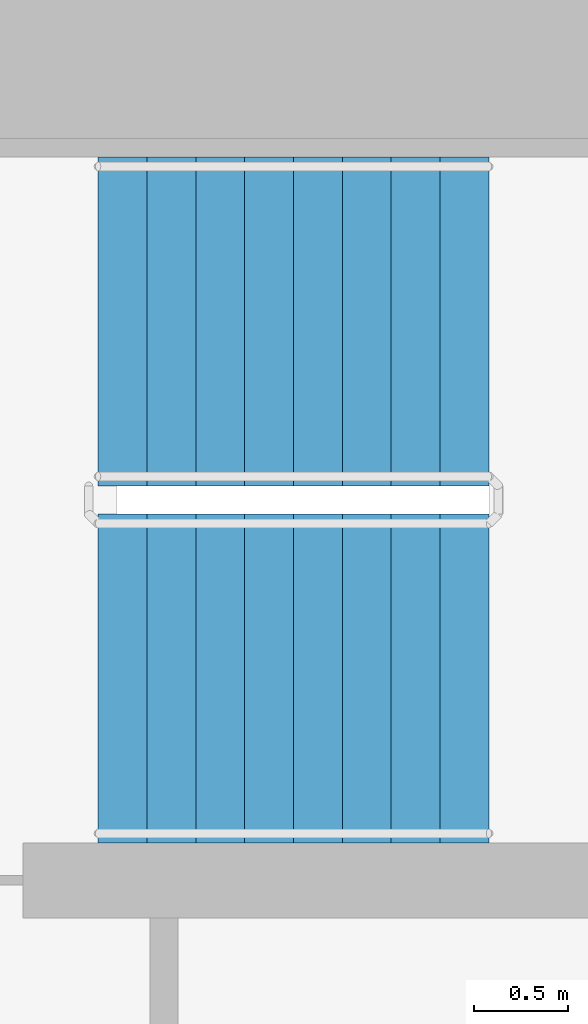
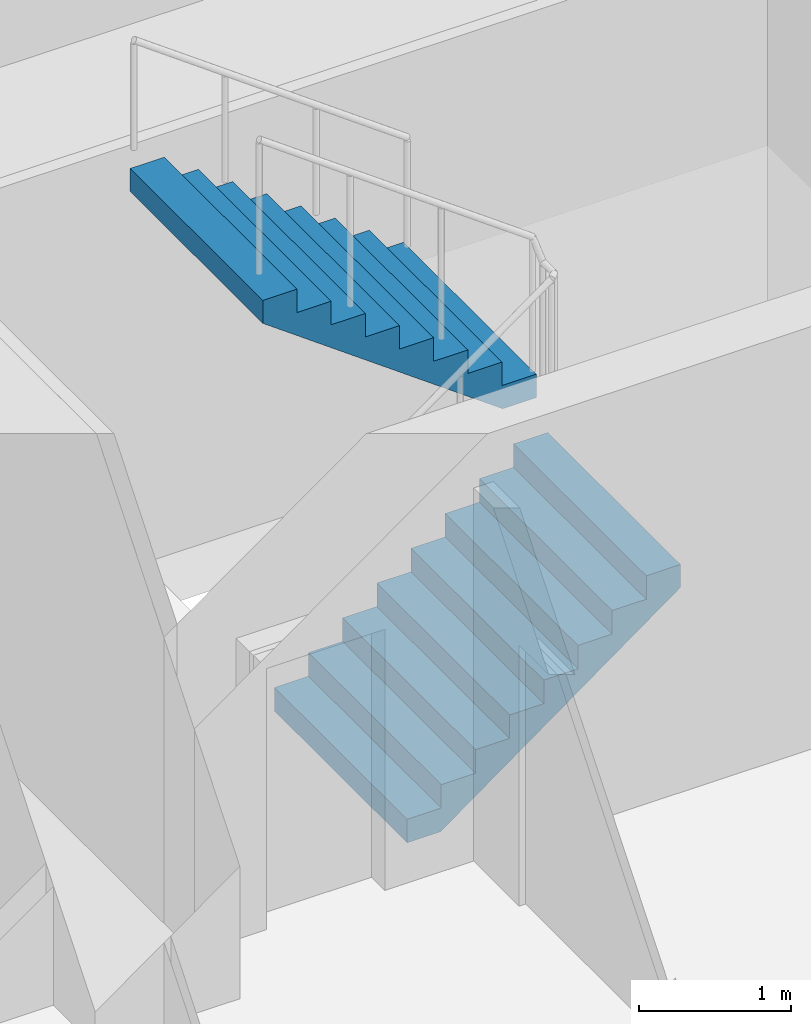
# One storey, part 33 of 40: 2 stair flights, 1 element without a shape of its own.
"""IFC4 building model written with IfcOpenShell, lengths in metres."""

from ifc_helpers import new_model, si_unit, direction, frame, origin, place, context, subcontext, project, spatial, faceted_brep, material, type_object, element, aggregate, save


model = new_model("IFC4")

# Units and contexts
model_context = context("Model", 3, precision=1e-05, world=origin(), true_north=direction((0.0, 1.0)))
body_context = subcontext(model_context, "Body", "Model", "MODEL_VIEW")
ifc_project = project(units=[si_unit("LENGTHUNIT", "METRE"), si_unit("AREAUNIT", "SQUARE_METRE"), si_unit("VOLUMEUNIT", "CUBIC_METRE"), si_unit("PLANEANGLEUNIT", "RADIAN"), si_unit("MASSUNIT", "GRAM", prefix="KILO")], contexts=[model_context])

# Site, building, storey
site_placement = place(None, origin())
site = spatial("IfcSite", under=ifc_project, at=site_placement, CompositionType="ELEMENT")
building_placement = place(site_placement, origin())
building = spatial("IfcBuilding", under=site, at=building_placement, Name="Ipe Terrace Towers", CompositionType="ELEMENT")
storey_placement = place(building_placement, frame((0.0, 0.0, 24.5)))
storey = spatial("IfcBuildingStorey", under=building, at=storey_placement, Name="L05", CompositionType="ELEMENT", Elevation=24.5)

# Stair, stair flights
ifc_material_1 = material(Name="Concrete C30/37", Category="concrete")
stair_type = type_object("IfcStairType", Name="Protected exit stair", PredefinedType="HALF_TURN_STAIR", material=ifc_material_1)
stair_placement = place(storey_placement, origin())
stair = element("IfcStair", 1, at=stair_placement, inside=storey, type_object=stair_type, Name="L05 Exit stair T1-C1", PredefinedType="HALF_TURN_STAIR")
ifc_material_2 = material(Name="Concrete C30/37", Category="concrete")
stair_flight_type = type_object("IfcStairFlightType", Name="Exit stair flight 1750", PredefinedType="STRAIGHT", material=ifc_material_2)
stair_flight_1_placement = place(storey_placement, frame((-26.300048828125, 2.77490234375, 0.0), z_axis=(0.0, 0.0, 1.0), x_axis=(1.0, 0.0, 0.0)))
stair_flight_1 = element("IfcStairFlight", 2, at=stair_flight_1_placement, type_object=stair_flight_type, Name="T1-ST1 flight 1", NumberOfRisers=9, NumberOfTreads=8, PredefinedType="STRAIGHT", RiserHeight=0.188888889, TreadLength=0.26, context=body_context, shape_type="Brep", body=[
    faceted_brep([(0.255126953125, -0.875, 0.0), (2.080078125, -0.875, 1.325927734375), (2.080078125, -0.875, 1.51123046875), (1.820068359375, -0.875, 1.51123046875), (1.820068359375, -0.875, 1.322265625), (1.56005859375, -0.875, 1.322265625), (1.56005859375, -0.875, 1.13330078125), (1.300048828125, -0.875, 1.13330078125), (1.300048828125, -0.875, 0.9443359375), (1.0400390625, -0.875, 0.9443359375), (1.0400390625, -0.875, 0.755615234375), (0.780029296875, -0.875, 0.755615234375), (0.780029296875, -0.875, 0.566650390625), (0.52001953125, -0.875, 0.566650390625), (0.52001953125, -0.875, 0.377685546875), (0.260009765625, -0.875, 0.377685546875), (0.260009765625, -0.875, 0.18896484375), (0.0, -0.875, 0.18896484375), (0.0, -0.875, 0.0), (0.0, 0.875, 0.0), (0.0, 0.875, 0.18896484375), (0.260009765625, 0.875, 0.18896484375), (0.260009765625, 0.875, 0.377685546875), (0.52001953125, 0.875, 0.377685546875), (0.52001953125, 0.875, 0.566650390625), (0.780029296875, 0.875, 0.566650390625), (0.780029296875, 0.875, 0.755615234375), (1.0400390625, 0.875, 0.755615234375), (1.0400390625, 0.875, 0.9443359375), (1.300048828125, 0.875, 0.9443359375), (1.300048828125, 0.875, 1.13330078125), (1.56005859375, 0.875, 1.13330078125), (1.56005859375, 0.875, 1.322265625), (1.820068359375, 0.875, 1.322265625), (1.820068359375, 0.875, 1.51123046875), (2.080078125, 0.875, 1.51123046875), (2.080078125, 0.875, 1.325927734375), (0.255126953125, 0.875, 0.0), (0.0, -0.300048828125, 0.18896484375), (0.0, -0.1201171875, 0.18896484375), (0.0, -0.06005859375, 0.18896484375), (0.0, -0.030029296875, 0.18896484375), (0.0, -0.010009765625, 0.18896484375), (0.0, 0.0, 0.18896484375), (0.0, 0.010009765625, 0.18896484375), (0.0, 0.030029296875, 0.18896484375), (0.0, 0.06005859375, 0.18896484375), (0.0, 0.1201171875, 0.18896484375), (0.0, 0.300048828125, 0.18896484375), (0.0, 0.300048828125, 0.0), (0.0, 0.1201171875, 0.0), (0.0, 0.06005859375, 0.0), (0.0, 0.030029296875, 0.0), (0.0, 0.010009765625, 0.0), (0.0, 0.0, 0.0), (0.0, -0.010009765625, 0.0), (0.0, -0.030029296875, 0.0), (0.0, -0.06005859375, 0.0), (0.0, -0.1201171875, 0.0), (0.0, -0.300048828125, 0.0), (0.260009765625, -0.300048828125, 0.18896484375), (0.260009765625, -0.1201171875, 0.18896484375), (0.260009765625, -0.06005859375, 0.18896484375), (0.260009765625, -0.030029296875, 0.18896484375), (0.260009765625, -0.010009765625, 0.18896484375), (0.260009765625, 0.0, 0.18896484375), (0.260009765625, 0.010009765625, 0.18896484375), (0.260009765625, 0.030029296875, 0.18896484375), (0.260009765625, 0.06005859375, 0.18896484375), (0.260009765625, 0.1201171875, 0.18896484375), (0.260009765625, 0.300048828125, 0.18896484375), (0.260009765625, -0.300048828125, 0.377685546875), (0.260009765625, -0.1201171875, 0.377685546875), (0.260009765625, -0.06005859375, 0.377685546875), (0.260009765625, -0.030029296875, 0.377685546875), (0.260009765625, -0.010009765625, 0.377685546875), (0.260009765625, 0.0, 0.377685546875), (0.260009765625, 0.010009765625, 0.377685546875), (0.260009765625, 0.030029296875, 0.377685546875), (0.260009765625, 0.06005859375, 0.377685546875), (0.260009765625, 0.1201171875, 0.377685546875), (0.260009765625, 0.300048828125, 0.377685546875), (0.52001953125, -0.300048828125, 0.377685546875), (0.52001953125, -0.1201171875, 0.377685546875), (0.52001953125, -0.06005859375, 0.377685546875), (0.52001953125, -0.030029296875, 0.377685546875), (0.52001953125, -0.010009765625, 0.377685546875), (0.52001953125, 0.0, 0.377685546875), (0.52001953125, 0.010009765625, 0.377685546875), (0.52001953125, 0.030029296875, 0.377685546875), (0.52001953125, 0.06005859375, 0.377685546875), (0.52001953125, 0.1201171875, 0.377685546875), (0.52001953125, 0.300048828125, 0.377685546875), (0.52001953125, -0.300048828125, 0.566650390625), (0.52001953125, -0.1201171875, 0.566650390625), (0.52001953125, -0.06005859375, 0.566650390625), (0.52001953125, -0.030029296875, 0.566650390625), (0.52001953125, -0.010009765625, 0.566650390625), (0.52001953125, 0.0, 0.566650390625), (0.52001953125, 0.010009765625, 0.566650390625), (0.52001953125, 0.030029296875, 0.566650390625), (0.52001953125, 0.06005859375, 0.566650390625), (0.52001953125, 0.1201171875, 0.566650390625), (0.52001953125, 0.300048828125, 0.566650390625), (0.780029296875, -0.300048828125, 0.566650390625), (0.780029296875, -0.1201171875, 0.566650390625), (0.780029296875, -0.06005859375, 0.566650390625), (0.780029296875, -0.030029296875, 0.566650390625), (0.780029296875, -0.010009765625, 0.566650390625), (0.780029296875, 0.0, 0.566650390625), (0.780029296875, 0.010009765625, 0.566650390625), (0.780029296875, 0.030029296875, 0.566650390625), (0.780029296875, 0.06005859375, 0.566650390625), (0.780029296875, 0.1201171875, 0.566650390625), (0.780029296875, 0.300048828125, 0.566650390625), (0.780029296875, -0.300048828125, 0.755615234375), (0.780029296875, -0.1201171875, 0.755615234375), (0.780029296875, -0.06005859375, 0.755615234375), (0.780029296875, -0.030029296875, 0.755615234375), (0.780029296875, -0.010009765625, 0.755615234375), (0.780029296875, 0.0, 0.755615234375), (0.780029296875, 0.010009765625, 0.755615234375), (0.780029296875, 0.030029296875, 0.755615234375), (0.780029296875, 0.06005859375, 0.755615234375), (0.780029296875, 0.1201171875, 0.755615234375), (0.780029296875, 0.300048828125, 0.755615234375), (1.0400390625, -0.300048828125, 0.755615234375), (1.0400390625, -0.1201171875, 0.755615234375), (1.0400390625, -0.06005859375, 0.755615234375), (1.0400390625, -0.030029296875, 0.755615234375), (1.0400390625, -0.010009765625, 0.755615234375), (1.0400390625, 0.0, 0.755615234375), (1.0400390625, 0.010009765625, 0.755615234375), (1.0400390625, 0.030029296875, 0.755615234375), (1.0400390625, 0.06005859375, 0.755615234375), (1.0400390625, 0.1201171875, 0.755615234375), (1.0400390625, 0.300048828125, 0.755615234375), (1.0400390625, -0.300048828125, 0.9443359375), (1.0400390625, -0.1201171875, 0.9443359375), (1.0400390625, -0.06005859375, 0.9443359375), (1.0400390625, -0.030029296875, 0.9443359375), (1.0400390625, -0.010009765625, 0.9443359375), (1.0400390625, 0.0, 0.9443359375), (1.0400390625, 0.010009765625, 0.9443359375), (1.0400390625, 0.030029296875, 0.9443359375), (1.0400390625, 0.06005859375, 0.9443359375), (1.0400390625, 0.1201171875, 0.9443359375), (1.0400390625, 0.300048828125, 0.9443359375), (1.300048828125, -0.300048828125, 0.9443359375), (1.300048828125, -0.1201171875, 0.9443359375), (1.300048828125, -0.06005859375, 0.9443359375), (1.300048828125, -0.030029296875, 0.9443359375), (1.300048828125, -0.010009765625, 0.9443359375), (1.300048828125, 0.0, 0.9443359375), (1.300048828125, 0.010009765625, 0.9443359375), (1.300048828125, 0.030029296875, 0.9443359375), (1.300048828125, 0.06005859375, 0.9443359375), (1.300048828125, 0.1201171875, 0.9443359375), (1.300048828125, 0.300048828125, 0.9443359375), (1.300048828125, -0.300048828125, 1.13330078125), (1.300048828125, -0.1201171875, 1.13330078125), (1.300048828125, -0.06005859375, 1.13330078125), (1.300048828125, -0.030029296875, 1.13330078125), (1.300048828125, -0.010009765625, 1.13330078125), (1.300048828125, 0.0, 1.13330078125), (1.300048828125, 0.010009765625, 1.13330078125), (1.300048828125, 0.030029296875, 1.13330078125), (1.300048828125, 0.06005859375, 1.13330078125), (1.300048828125, 0.1201171875, 1.13330078125), (1.300048828125, 0.300048828125, 1.13330078125), (1.56005859375, -0.300048828125, 1.13330078125), (1.56005859375, -0.1201171875, 1.13330078125), (1.56005859375, -0.06005859375, 1.13330078125), (1.56005859375, -0.030029296875, 1.13330078125), (1.56005859375, -0.010009765625, 1.13330078125), (1.56005859375, 0.0, 1.13330078125), (1.56005859375, 0.010009765625, 1.13330078125), (1.56005859375, 0.030029296875, 1.13330078125), (1.56005859375, 0.06005859375, 1.13330078125), (1.56005859375, 0.1201171875, 1.13330078125), (1.56005859375, 0.300048828125, 1.13330078125), (1.56005859375, -0.300048828125, 1.322265625), (1.56005859375, -0.1201171875, 1.322265625), (1.56005859375, -0.06005859375, 1.322265625), (1.56005859375, -0.030029296875, 1.322265625), (1.56005859375, -0.010009765625, 1.322265625), (1.56005859375, 0.0, 1.322265625), (1.56005859375, 0.010009765625, 1.322265625), (1.56005859375, 0.030029296875, 1.322265625), (1.56005859375, 0.06005859375, 1.322265625), (1.56005859375, 0.1201171875, 1.322265625), (1.56005859375, 0.300048828125, 1.322265625), (1.820068359375, -0.300048828125, 1.322265625), (1.820068359375, -0.1201171875, 1.322265625), (1.820068359375, -0.06005859375, 1.322265625), (1.820068359375, -0.030029296875, 1.322265625), (1.820068359375, -0.010009765625, 1.322265625), (1.820068359375, 0.0, 1.322265625), (1.820068359375, 0.010009765625, 1.322265625), (1.820068359375, 0.030029296875, 1.322265625), (1.820068359375, 0.06005859375, 1.322265625), (1.820068359375, 0.1201171875, 1.322265625), (1.820068359375, 0.300048828125, 1.322265625), (1.820068359375, -0.300048828125, 1.51123046875), (1.820068359375, -0.1201171875, 1.51123046875), (1.820068359375, -0.06005859375, 1.51123046875), (1.820068359375, -0.030029296875, 1.51123046875), (1.820068359375, -0.010009765625, 1.51123046875), (1.820068359375, 0.0, 1.51123046875), (1.820068359375, 0.010009765625, 1.51123046875), (1.820068359375, 0.030029296875, 1.51123046875), (1.820068359375, 0.06005859375, 1.51123046875), (1.820068359375, 0.1201171875, 1.51123046875), (1.820068359375, 0.300048828125, 1.51123046875), (2.080078125, -0.300048828125, 1.51123046875), (2.080078125, -0.1201171875, 1.51123046875), (2.080078125, -0.06005859375, 1.51123046875), (2.080078125, -0.030029296875, 1.51123046875), (2.080078125, -0.010009765625, 1.51123046875), (2.080078125, 0.0, 1.51123046875), (2.080078125, 0.010009765625, 1.51123046875), (2.080078125, 0.030029296875, 1.51123046875), (2.080078125, 0.06005859375, 1.51123046875), (2.080078125, 0.1201171875, 1.51123046875), (2.080078125, 0.300048828125, 1.51123046875), (2.080078125, -0.300048828125, 1.325927734375), (2.080078125, -0.1201171875, 1.325927734375), (2.080078125, -0.06005859375, 1.325927734375), (2.080078125, -0.030029296875, 1.325927734375), (2.080078125, -0.010009765625, 1.325927734375), (2.080078125, 0.0, 1.325927734375), (2.080078125, 0.010009765625, 1.325927734375), (2.080078125, 0.030029296875, 1.325927734375), (2.080078125, 0.06005859375, 1.325927734375), (2.080078125, 0.1201171875, 1.325927734375), (2.080078125, 0.300048828125, 1.325927734375), (0.255126953125, -0.300048828125, 0.0), (0.255126953125, -0.1201171875, 0.0), (0.255126953125, -0.06005859375, 0.0), (0.255126953125, -0.030029296875, 0.0), (0.255126953125, -0.010009765625, 0.0), (0.255126953125, 0.0, 0.0), (0.255126953125, 0.010009765625, 0.0), (0.255126953125, 0.030029296875, 0.0), (0.255126953125, 0.06005859375, 0.0), (0.255126953125, 0.1201171875, 0.0), (0.255126953125, 0.300048828125, 0.0)], [[[0, 1, 2, 3, 4, 5, 6, 7, 8, 9, 10, 11, 12, 13, 14, 15, 16, 17, 18]], [[19, 20, 21, 22, 23, 24, 25, 26, 27, 28, 29, 30, 31, 32, 33, 34, 35, 36, 37]], [[17, 38, 39, 40, 41, 42, 43, 44, 45, 46, 47, 48, 20, 19, 49, 50, 51, 52, 53, 54, 55, 56, 57, 58, 59, 18]], [[16, 60, 61, 62, 63, 64, 65, 66, 67, 68, 69, 70, 21, 20, 48, 47, 46, 45, 44, 43, 42, 41, 40, 39, 38, 17]], [[15, 71, 72, 73, 74, 75, 76, 77, 78, 79, 80, 81, 22, 21, 70, 69, 68, 67, 66, 65, 64, 63, 62, 61, 60, 16]], [[14, 82, 83, 84, 85, 86, 87, 88, 89, 90, 91, 92, 23, 22, 81, 80, 79, 78, 77, 76, 75, 74, 73, 72, 71, 15]], [[13, 93, 94, 95, 96, 97, 98, 99, 100, 101, 102, 103, 24, 23, 92, 91, 90, 89, 88, 87, 86, 85, 84, 83, 82, 14]], [[12, 104, 105, 106, 107, 108, 109, 110, 111, 112, 113, 114, 25, 24, 103, 102, 101, 100, 99, 98, 97, 96, 95, 94, 93, 13]], [[11, 115, 116, 117, 118, 119, 120, 121, 122, 123, 124, 125, 26, 25, 114, 113, 112, 111, 110, 109, 108, 107, 106, 105, 104, 12]], [[10, 126, 127, 128, 129, 130, 131, 132, 133, 134, 135, 136, 27, 26, 125, 124, 123, 122, 121, 120, 119, 118, 117, 116, 115, 11]], [[9, 137, 138, 139, 140, 141, 142, 143, 144, 145, 146, 147, 28, 27, 136, 135, 134, 133, 132, 131, 130, 129, 128, 127, 126, 10]], [[8, 148, 149, 150, 151, 152, 153, 154, 155, 156, 157, 158, 29, 28, 147, 146, 145, 144, 143, 142, 141, 140, 139, 138, 137, 9]], [[7, 159, 160, 161, 162, 163, 164, 165, 166, 167, 168, 169, 30, 29, 158, 157, 156, 155, 154, 153, 152, 151, 150, 149, 148, 8]], [[6, 170, 171, 172, 173, 174, 175, 176, 177, 178, 179, 180, 31, 30, 169, 168, 167, 166, 165, 164, 163, 162, 161, 160, 159, 7]], [[5, 181, 182, 183, 184, 185, 186, 187, 188, 189, 190, 191, 32, 31, 180, 179, 178, 177, 176, 175, 174, 173, 172, 171, 170, 6]], [[4, 192, 193, 194, 195, 196, 197, 198, 199, 200, 201, 202, 33, 32, 191, 190, 189, 188, 187, 186, 185, 184, 183, 182, 181, 5]], [[3, 203, 204, 205, 206, 207, 208, 209, 210, 211, 212, 213, 34, 33, 202, 201, 200, 199, 198, 197, 196, 195, 194, 193, 192, 4]], [[2, 214, 215, 216, 217, 218, 219, 220, 221, 222, 223, 224, 35, 34, 213, 212, 211, 210, 209, 208, 207, 206, 205, 204, 203, 3]], [[1, 225, 226, 227, 228, 229, 230, 231, 232, 233, 234, 235, 36, 35, 224, 223, 222, 221, 220, 219, 218, 217, 216, 215, 214, 2]], [[0, 236, 237, 238, 239, 240, 241, 242, 243, 244, 245, 246, 37, 36, 235, 234, 233, 232, 231, 230, 229, 228, 227, 226, 225, 1]], [[18, 59, 58, 57, 56, 55, 54, 53, 52, 51, 50, 49, 19, 37, 246, 245, 244, 243, 242, 241, 240, 239, 238, 237, 236, 0]]]),
])
stair_flight_2_placement = place(storey_placement, frame((-24.219970703125, 4.675048828125, 1.699951171875), z_axis=(0.0, 0.0, 1.0), x_axis=(-1.0, 0.0, 0.0)))
stair_flight_2 = element("IfcStairFlight", 3, at=stair_flight_2_placement, type_object=stair_flight_type, Name="T1-ST1 flight 2", NumberOfRisers=9, NumberOfTreads=8, PredefinedType="STRAIGHT", RiserHeight=0.188888889, TreadLength=0.26, context=body_context, shape_type="Brep", body=[
    faceted_brep([(0.255126953125, -0.875, 0.0), (2.080078125, -0.875, 1.325927734375), (2.080078125, -0.875, 1.51123046875), (1.820068359375, -0.875, 1.51123046875), (1.820068359375, -0.875, 1.322265625), (1.56005859375, -0.875, 1.322265625), (1.56005859375, -0.875, 1.13330078125), (1.300048828125, -0.875, 1.13330078125), (1.300048828125, -0.875, 0.9443359375), (1.0400390625, -0.875, 0.9443359375), (1.0400390625, -0.875, 0.755615234375), (0.780029296875, -0.875, 0.755615234375), (0.780029296875, -0.875, 0.566650390625), (0.52001953125, -0.875, 0.566650390625), (0.52001953125, -0.875, 0.377685546875), (0.260009765625, -0.875, 0.377685546875), (0.260009765625, -0.875, 0.18896484375), (0.0, -0.875, 0.18896484375), (0.0, -0.875, 0.0), (0.0, 0.875, 0.0), (0.0, 0.875, 0.18896484375), (0.260009765625, 0.875, 0.18896484375), (0.260009765625, 0.875, 0.377685546875), (0.52001953125, 0.875, 0.377685546875), (0.52001953125, 0.875, 0.566650390625), (0.780029296875, 0.875, 0.566650390625), (0.780029296875, 0.875, 0.755615234375), (1.0400390625, 0.875, 0.755615234375), (1.0400390625, 0.875, 0.9443359375), (1.300048828125, 0.875, 0.9443359375), (1.300048828125, 0.875, 1.13330078125), (1.56005859375, 0.875, 1.13330078125), (1.56005859375, 0.875, 1.322265625), (1.820068359375, 0.875, 1.322265625), (1.820068359375, 0.875, 1.51123046875), (2.080078125, 0.875, 1.51123046875), (2.080078125, 0.875, 1.325927734375), (0.255126953125, 0.875, 0.0), (0.0, -0.300048828125, 0.18896484375), (0.0, -0.1201171875, 0.18896484375), (0.0, -0.06005859375, 0.18896484375), (0.0, -0.030029296875, 0.18896484375), (0.0, -0.010009765625, 0.18896484375), (0.0, 0.0, 0.18896484375), (0.0, 0.010009765625, 0.18896484375), (0.0, 0.030029296875, 0.18896484375), (0.0, 0.06005859375, 0.18896484375), (0.0, 0.1201171875, 0.18896484375), (0.0, 0.300048828125, 0.18896484375), (0.0, 0.300048828125, 0.0), (0.0, 0.1201171875, 0.0), (0.0, 0.06005859375, 0.0), (0.0, 0.030029296875, 0.0), (0.0, 0.010009765625, 0.0), (0.0, 0.0, 0.0), (0.0, -0.010009765625, 0.0), (0.0, -0.030029296875, 0.0), (0.0, -0.06005859375, 0.0), (0.0, -0.1201171875, 0.0), (0.0, -0.300048828125, 0.0), (0.260009765625, -0.300048828125, 0.18896484375), (0.260009765625, -0.1201171875, 0.18896484375), (0.260009765625, -0.06005859375, 0.18896484375), (0.260009765625, -0.030029296875, 0.18896484375), (0.260009765625, -0.010009765625, 0.18896484375), (0.260009765625, 0.0, 0.18896484375), (0.260009765625, 0.010009765625, 0.18896484375), (0.260009765625, 0.030029296875, 0.18896484375), (0.260009765625, 0.06005859375, 0.18896484375), (0.260009765625, 0.1201171875, 0.18896484375), (0.260009765625, 0.300048828125, 0.18896484375), (0.260009765625, -0.300048828125, 0.377685546875), (0.260009765625, -0.1201171875, 0.377685546875), (0.260009765625, -0.06005859375, 0.377685546875), (0.260009765625, -0.030029296875, 0.377685546875), (0.260009765625, -0.010009765625, 0.377685546875), (0.260009765625, 0.0, 0.377685546875), (0.260009765625, 0.010009765625, 0.377685546875), (0.260009765625, 0.030029296875, 0.377685546875), (0.260009765625, 0.06005859375, 0.377685546875), (0.260009765625, 0.1201171875, 0.377685546875), (0.260009765625, 0.300048828125, 0.377685546875), (0.52001953125, -0.300048828125, 0.377685546875), (0.52001953125, -0.1201171875, 0.377685546875), (0.52001953125, -0.06005859375, 0.377685546875), (0.52001953125, -0.030029296875, 0.377685546875), (0.52001953125, -0.010009765625, 0.377685546875), (0.52001953125, 0.0, 0.377685546875), (0.52001953125, 0.010009765625, 0.377685546875), (0.52001953125, 0.030029296875, 0.377685546875), (0.52001953125, 0.06005859375, 0.377685546875), (0.52001953125, 0.1201171875, 0.377685546875), (0.52001953125, 0.300048828125, 0.377685546875), (0.52001953125, -0.300048828125, 0.566650390625), (0.52001953125, -0.1201171875, 0.566650390625), (0.52001953125, -0.06005859375, 0.566650390625), (0.52001953125, -0.030029296875, 0.566650390625), (0.52001953125, -0.010009765625, 0.566650390625), (0.52001953125, 0.0, 0.566650390625), (0.52001953125, 0.010009765625, 0.566650390625), (0.52001953125, 0.030029296875, 0.566650390625), (0.52001953125, 0.06005859375, 0.566650390625), (0.52001953125, 0.1201171875, 0.566650390625), (0.52001953125, 0.300048828125, 0.566650390625), (0.780029296875, -0.300048828125, 0.566650390625), (0.780029296875, -0.1201171875, 0.566650390625), (0.780029296875, -0.06005859375, 0.566650390625), (0.780029296875, -0.030029296875, 0.566650390625), (0.780029296875, -0.010009765625, 0.566650390625), (0.780029296875, 0.0, 0.566650390625), (0.780029296875, 0.010009765625, 0.566650390625), (0.780029296875, 0.030029296875, 0.566650390625), (0.780029296875, 0.06005859375, 0.566650390625), (0.780029296875, 0.1201171875, 0.566650390625), (0.780029296875, 0.300048828125, 0.566650390625), (0.780029296875, -0.300048828125, 0.755615234375), (0.780029296875, -0.1201171875, 0.755615234375), (0.780029296875, -0.06005859375, 0.755615234375), (0.780029296875, -0.030029296875, 0.755615234375), (0.780029296875, -0.010009765625, 0.755615234375), (0.780029296875, 0.0, 0.755615234375), (0.780029296875, 0.010009765625, 0.755615234375), (0.780029296875, 0.030029296875, 0.755615234375), (0.780029296875, 0.06005859375, 0.755615234375), (0.780029296875, 0.1201171875, 0.755615234375), (0.780029296875, 0.300048828125, 0.755615234375), (1.0400390625, -0.300048828125, 0.755615234375), (1.0400390625, -0.1201171875, 0.755615234375), (1.0400390625, -0.06005859375, 0.755615234375), (1.0400390625, -0.030029296875, 0.755615234375), (1.0400390625, -0.010009765625, 0.755615234375), (1.0400390625, 0.0, 0.755615234375), (1.0400390625, 0.010009765625, 0.755615234375), (1.0400390625, 0.030029296875, 0.755615234375), (1.0400390625, 0.06005859375, 0.755615234375), (1.0400390625, 0.1201171875, 0.755615234375), (1.0400390625, 0.300048828125, 0.755615234375), (1.0400390625, -0.300048828125, 0.9443359375), (1.0400390625, -0.1201171875, 0.9443359375), (1.0400390625, -0.06005859375, 0.9443359375), (1.0400390625, -0.030029296875, 0.9443359375), (1.0400390625, -0.010009765625, 0.9443359375), (1.0400390625, 0.0, 0.9443359375), (1.0400390625, 0.010009765625, 0.9443359375), (1.0400390625, 0.030029296875, 0.9443359375), (1.0400390625, 0.06005859375, 0.9443359375), (1.0400390625, 0.1201171875, 0.9443359375), (1.0400390625, 0.300048828125, 0.9443359375), (1.300048828125, -0.300048828125, 0.9443359375), (1.300048828125, -0.1201171875, 0.9443359375), (1.300048828125, -0.06005859375, 0.9443359375), (1.300048828125, -0.030029296875, 0.9443359375), (1.300048828125, -0.010009765625, 0.9443359375), (1.300048828125, 0.0, 0.9443359375), (1.300048828125, 0.010009765625, 0.9443359375), (1.300048828125, 0.030029296875, 0.9443359375), (1.300048828125, 0.06005859375, 0.9443359375), (1.300048828125, 0.1201171875, 0.9443359375), (1.300048828125, 0.300048828125, 0.9443359375), (1.300048828125, -0.300048828125, 1.13330078125), (1.300048828125, -0.1201171875, 1.13330078125), (1.300048828125, -0.06005859375, 1.13330078125), (1.300048828125, -0.030029296875, 1.13330078125), (1.300048828125, -0.010009765625, 1.13330078125), (1.300048828125, 0.0, 1.13330078125), (1.300048828125, 0.010009765625, 1.13330078125), (1.300048828125, 0.030029296875, 1.13330078125), (1.300048828125, 0.06005859375, 1.13330078125), (1.300048828125, 0.1201171875, 1.13330078125), (1.300048828125, 0.300048828125, 1.13330078125), (1.56005859375, -0.300048828125, 1.13330078125), (1.56005859375, -0.1201171875, 1.13330078125), (1.56005859375, -0.06005859375, 1.13330078125), (1.56005859375, -0.030029296875, 1.13330078125), (1.56005859375, -0.010009765625, 1.13330078125), (1.56005859375, 0.0, 1.13330078125), (1.56005859375, 0.010009765625, 1.13330078125), (1.56005859375, 0.030029296875, 1.13330078125), (1.56005859375, 0.06005859375, 1.13330078125), (1.56005859375, 0.1201171875, 1.13330078125), (1.56005859375, 0.300048828125, 1.13330078125), (1.56005859375, -0.300048828125, 1.322265625), (1.56005859375, -0.1201171875, 1.322265625), (1.56005859375, -0.06005859375, 1.322265625), (1.56005859375, -0.030029296875, 1.322265625), (1.56005859375, -0.010009765625, 1.322265625), (1.56005859375, 0.0, 1.322265625), (1.56005859375, 0.010009765625, 1.322265625), (1.56005859375, 0.030029296875, 1.322265625), (1.56005859375, 0.06005859375, 1.322265625), (1.56005859375, 0.1201171875, 1.322265625), (1.56005859375, 0.300048828125, 1.322265625), (1.820068359375, -0.300048828125, 1.322265625), (1.820068359375, -0.1201171875, 1.322265625), (1.820068359375, -0.06005859375, 1.322265625), (1.820068359375, -0.030029296875, 1.322265625), (1.820068359375, -0.010009765625, 1.322265625), (1.820068359375, 0.0, 1.322265625), (1.820068359375, 0.010009765625, 1.322265625), (1.820068359375, 0.030029296875, 1.322265625), (1.820068359375, 0.06005859375, 1.322265625), (1.820068359375, 0.1201171875, 1.322265625), (1.820068359375, 0.300048828125, 1.322265625), (1.820068359375, -0.300048828125, 1.51123046875), (1.820068359375, -0.1201171875, 1.51123046875), (1.820068359375, -0.06005859375, 1.51123046875), (1.820068359375, -0.030029296875, 1.51123046875), (1.820068359375, -0.010009765625, 1.51123046875), (1.820068359375, 0.0, 1.51123046875), (1.820068359375, 0.010009765625, 1.51123046875), (1.820068359375, 0.030029296875, 1.51123046875), (1.820068359375, 0.06005859375, 1.51123046875), (1.820068359375, 0.1201171875, 1.51123046875), (1.820068359375, 0.300048828125, 1.51123046875), (2.080078125, -0.300048828125, 1.51123046875), (2.080078125, -0.1201171875, 1.51123046875), (2.080078125, -0.06005859375, 1.51123046875), (2.080078125, -0.030029296875, 1.51123046875), (2.080078125, -0.010009765625, 1.51123046875), (2.080078125, 0.0, 1.51123046875), (2.080078125, 0.010009765625, 1.51123046875), (2.080078125, 0.030029296875, 1.51123046875), (2.080078125, 0.06005859375, 1.51123046875), (2.080078125, 0.1201171875, 1.51123046875), (2.080078125, 0.300048828125, 1.51123046875), (2.080078125, -0.300048828125, 1.325927734375), (2.080078125, -0.1201171875, 1.325927734375), (2.080078125, -0.06005859375, 1.325927734375), (2.080078125, -0.030029296875, 1.325927734375), (2.080078125, -0.010009765625, 1.325927734375), (2.080078125, 0.0, 1.325927734375), (2.080078125, 0.010009765625, 1.325927734375), (2.080078125, 0.030029296875, 1.325927734375), (2.080078125, 0.06005859375, 1.325927734375), (2.080078125, 0.1201171875, 1.325927734375), (2.080078125, 0.300048828125, 1.325927734375), (0.255126953125, -0.300048828125, 0.0), (0.255126953125, -0.1201171875, 0.0), (0.255126953125, -0.06005859375, 0.0), (0.255126953125, -0.030029296875, 0.0), (0.255126953125, -0.010009765625, 0.0), (0.255126953125, 0.0, 0.0), (0.255126953125, 0.010009765625, 0.0), (0.255126953125, 0.030029296875, 0.0), (0.255126953125, 0.06005859375, 0.0), (0.255126953125, 0.1201171875, 0.0), (0.255126953125, 0.300048828125, 0.0)], [[[0, 1, 2, 3, 4, 5, 6, 7, 8, 9, 10, 11, 12, 13, 14, 15, 16, 17, 18]], [[19, 20, 21, 22, 23, 24, 25, 26, 27, 28, 29, 30, 31, 32, 33, 34, 35, 36, 37]], [[17, 38, 39, 40, 41, 42, 43, 44, 45, 46, 47, 48, 20, 19, 49, 50, 51, 52, 53, 54, 55, 56, 57, 58, 59, 18]], [[16, 60, 61, 62, 63, 64, 65, 66, 67, 68, 69, 70, 21, 20, 48, 47, 46, 45, 44, 43, 42, 41, 40, 39, 38, 17]], [[15, 71, 72, 73, 74, 75, 76, 77, 78, 79, 80, 81, 22, 21, 70, 69, 68, 67, 66, 65, 64, 63, 62, 61, 60, 16]], [[14, 82, 83, 84, 85, 86, 87, 88, 89, 90, 91, 92, 23, 22, 81, 80, 79, 78, 77, 76, 75, 74, 73, 72, 71, 15]], [[13, 93, 94, 95, 96, 97, 98, 99, 100, 101, 102, 103, 24, 23, 92, 91, 90, 89, 88, 87, 86, 85, 84, 83, 82, 14]], [[12, 104, 105, 106, 107, 108, 109, 110, 111, 112, 113, 114, 25, 24, 103, 102, 101, 100, 99, 98, 97, 96, 95, 94, 93, 13]], [[11, 115, 116, 117, 118, 119, 120, 121, 122, 123, 124, 125, 26, 25, 114, 113, 112, 111, 110, 109, 108, 107, 106, 105, 104, 12]], [[10, 126, 127, 128, 129, 130, 131, 132, 133, 134, 135, 136, 27, 26, 125, 124, 123, 122, 121, 120, 119, 118, 117, 116, 115, 11]], [[9, 137, 138, 139, 140, 141, 142, 143, 144, 145, 146, 147, 28, 27, 136, 135, 134, 133, 132, 131, 130, 129, 128, 127, 126, 10]], [[8, 148, 149, 150, 151, 152, 153, 154, 155, 156, 157, 158, 29, 28, 147, 146, 145, 144, 143, 142, 141, 140, 139, 138, 137, 9]], [[7, 159, 160, 161, 162, 163, 164, 165, 166, 167, 168, 169, 30, 29, 158, 157, 156, 155, 154, 153, 152, 151, 150, 149, 148, 8]], [[6, 170, 171, 172, 173, 174, 175, 176, 177, 178, 179, 180, 31, 30, 169, 168, 167, 166, 165, 164, 163, 162, 161, 160, 159, 7]], [[5, 181, 182, 183, 184, 185, 186, 187, 188, 189, 190, 191, 32, 31, 180, 179, 178, 177, 176, 175, 174, 173, 172, 171, 170, 6]], [[4, 192, 193, 194, 195, 196, 197, 198, 199, 200, 201, 202, 33, 32, 191, 190, 189, 188, 187, 186, 185, 184, 183, 182, 181, 5]], [[3, 203, 204, 205, 206, 207, 208, 209, 210, 211, 212, 213, 34, 33, 202, 201, 200, 199, 198, 197, 196, 195, 194, 193, 192, 4]], [[2, 214, 215, 216, 217, 218, 219, 220, 221, 222, 223, 224, 35, 34, 213, 212, 211, 210, 209, 208, 207, 206, 205, 204, 203, 3]], [[1, 225, 226, 227, 228, 229, 230, 231, 232, 233, 234, 235, 36, 35, 224, 223, 222, 221, 220, 219, 218, 217, 216, 215, 214, 2]], [[0, 236, 237, 238, 239, 240, 241, 242, 243, 244, 245, 246, 37, 36, 235, 234, 233, 232, 231, 230, 229, 228, 227, 226, 225, 1]], [[18, 59, 58, 57, 56, 55, 54, 53, 52, 51, 50, 49, 19, 37, 246, 245, 244, 243, 242, 241, 240, 239, 238, 237, 236, 0]]]),
])
aggregate(stair, [stair_flight_1, stair_flight_2])

save(model, "model.ifc")
